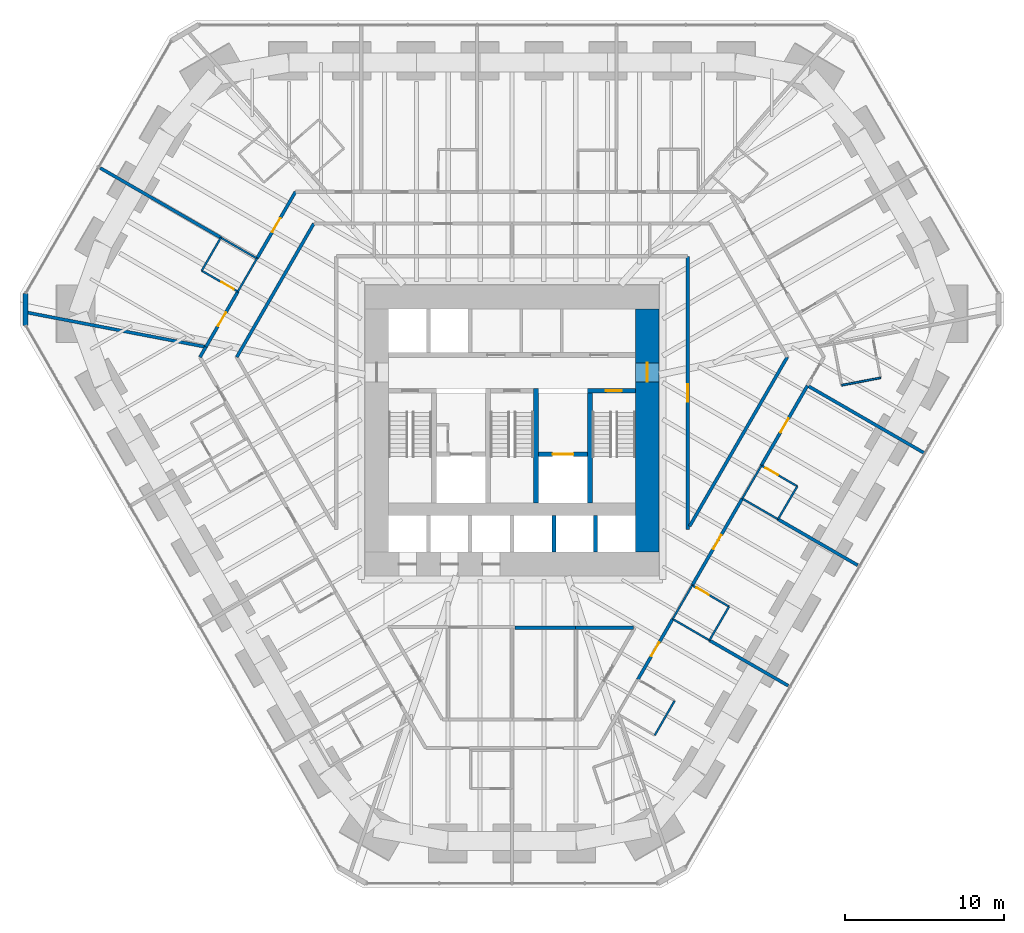
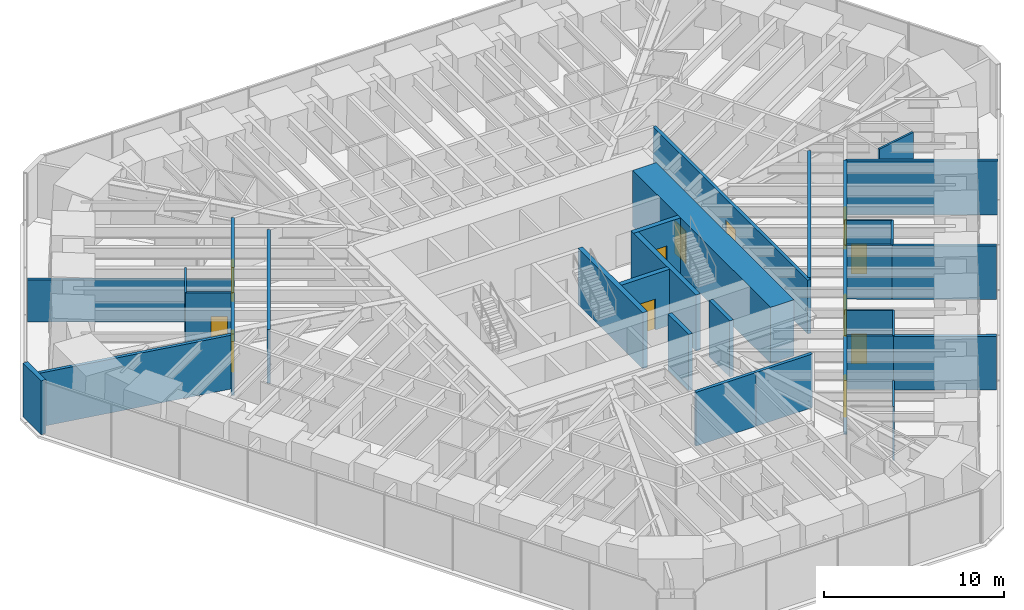
# One storey, part 13 of 17: 38 walls, 12 doors, 12 openings.
"""IFC4 building model written with IfcOpenShell, lengths in metres."""

from ifc_helpers import new_model, si_unit, direction, frame, frame_2d, origin, place, context, subcontext, project, spatial, rectangle, extrude, material, layer, layer_set, type_object, element, fill, save


model = new_model("IFC4")

# Units and contexts
model_context = context("Model", 3, precision=1e-05, world=origin(), true_north=direction((0.0, 1.0)))
body_context = subcontext(model_context, "Body", "Model", "MODEL_VIEW")
ifc_project = project(units=[si_unit("LENGTHUNIT", "METRE"), si_unit("AREAUNIT", "SQUARE_METRE"), si_unit("VOLUMEUNIT", "CUBIC_METRE"), si_unit("PLANEANGLEUNIT", "RADIAN"), si_unit("MASSUNIT", "GRAM", prefix="KILO")], contexts=[model_context])

# Site, building, storey
site_placement = place(None, origin())
site = spatial("IfcSite", under=ifc_project, at=site_placement, CompositionType="ELEMENT")
building_placement = place(site_placement, origin())
building = spatial("IfcBuilding", under=site, at=building_placement, Name="Sandreach Pilgrim Tower", CompositionType="ELEMENT")
storey_placement = place(building_placement, frame((0.0, 0.0, 83.800048828125)))
storey = spatial("IfcBuildingStorey", under=building, at=storey_placement, Name="L20", CompositionType="ELEMENT", Elevation=83.800048828125)

# Wall, opening, door
ifc_material_1 = material(Name="Moisture-resistant gypsum board on steel studs", Category="steel")
ifc_layer_1 = layer(ifc_material_1, 0.1201171875)
ifc_layer_set_1 = layer_set([ifc_layer_1], Name="Bathroom partition 120")
wall_type_1 = type_object("IfcWallType", Name="Bathroom partition 120", PredefinedType="PARTITIONING", material=ifc_layer_set_1)
wall_1_placement = place(storey_placement, frame((-19.5, 8.489990234375, 0.0), z_axis=(0.0, 0.0, 1.0), x_axis=(0.866114241029, -0.499846097802, 0.0)))
wall_1 = element("IfcWall", 1, at=wall_1_placement, inside=storey, type_object=wall_type_1, Name="Bathroom partition L20-009", PredefinedType="PARTITIONING", context=body_context, shape_type="SweptSolid", body=[
    extrude(rectangle(XDim=2.620849609375, YDim=0.1201171875, at=frame_2d((1.310546875, 0.0))), origin(), (0.0, 0.0, 1.0), 3.639892578125),
])
opening_1_placement = place(wall_1_placement, frame((1.4208984375, 0.0, 0.0)))
opening_1 = element("IfcOpeningElement", 2, at=opening_1_placement, cuts=wall_1, Name="Opening D09-17B", PredefinedType="OPENING", context=body_context, shape_type="SweptSolid", body=[
    extrude(rectangle(XDim=0.89990234375, YDim=2.030029296875, at=frame_2d((0.449951171875, 1.01513671875))), frame((0.0, 0.06005859375, 0.0), z_axis=(0.0, -1.0, 0.0), x_axis=(1.0, 0.0, 0.0)), (0.0, 0.0, 1.0), 0.1201171875),
])
ifc_material_2 = material(Name="Timber door, steel frame", Category="steel")
door_type_1 = type_object("IfcDoorType", Name="Bathroom door", OperationType="SINGLE_SWING_LEFT", PredefinedType="DOOR", material=ifc_material_2)
door_1_placement = place(opening_1_placement, origin())
door_1 = element("IfcDoor", 3, at=door_1_placement, inside=storey, type_object=door_type_1, Name="Door 2017B", OperationType="SINGLE_SWING_RIGHT", OverallHeight=2.030029296875, OverallWidth=0.89990234375, PredefinedType="DOOR", context=body_context, shape_type="SweptSolid", body=[
    extrude(rectangle(XDim=0.89990234375, YDim=2.030029296875, at=frame_2d((0.449951171875, 1.01513671875))), frame((0.0, 0.02490234375, 0.0), z_axis=(0.0, -1.0, 0.0), x_axis=(1.0, 0.0, 0.0)), (0.0, 0.0, 1.0), 0.050048828125),
])
fill(opening_1, door_1)

# Walls
wall_2_placement = place(storey_placement, frame((-18.300048828125, 10.570068359375, 0.0), z_axis=(0.0, 0.0, 1.0), x_axis=(-0.499693115345, -0.866202511239, 0.0)))
element("IfcWall", 4, at=wall_2_placement, inside=storey, type_object=wall_type_1, Name="Bathroom partition L20-013", PredefinedType="PARTITIONING", context=body_context, shape_type="SweptSolid", body=[
    extrude(rectangle(XDim=2.4013671875, YDim=0.1201171875, at=frame_2d((1.20068359375, 0.0))), origin(), (0.0, 0.0, 1.0), 3.639892578125),
])
wall_3_placement = place(storey_placement, frame((-18.300048828125, 10.570068359375, 0.0), z_axis=(0.0, 0.0, 1.0), x_axis=(0.866114241029, -0.499846097802, 0.0)))
element("IfcWall", 5, at=wall_3_placement, inside=storey, type_object=wall_type_1, Name="Bathroom partition L20-014", PredefinedType="PARTITIONING", context=body_context, shape_type="SweptSolid", body=[
    extrude(rectangle(XDim=2.620849609375, YDim=0.1201171875, at=frame_2d((1.310546875, 0.0))), origin(), (0.0, 0.0, 1.0), 2.860107421875),
])
wall_4_placement = place(storey_placement, frame((-17.22998046875, 7.179931640625, 0.0), z_axis=(0.0, 0.0, 1.0), x_axis=(0.500009943768, 0.866019662671, 0.0)))
element("IfcWall", 6, at=wall_4_placement, inside=storey, type_object=wall_type_1, Name="Bathroom partition L20-018", PredefinedType="PARTITIONING", context=body_context, shape_type="SweptSolid", body=[
    extrude(rectangle(XDim=2.4013671875, YDim=0.1201171875, at=frame_2d((1.20068359375, 0.0))), origin(), (0.0, 0.0, 1.0), 3.639892578125),
])
wall_5_placement = place(storey_placement, frame((8.969970703125, -20.7099609375, 0.0), z_axis=(0.0, 0.0, 1.0), x_axis=(0.499159685399, 0.866510016372, 0.0)))
element("IfcWall", 7, at=wall_5_placement, inside=storey, type_object=wall_type_1, Name="Bathroom partition L20-105", PredefinedType="PARTITIONING", context=body_context, shape_type="SweptSolid", body=[
    extrude(rectangle(XDim=2.504150390625, YDim=0.1201171875, at=frame_2d((1.251953125, 0.0))), origin(), (0.0, 0.0, 1.0), 3.639892578125),
])
wall_6_placement = place(storey_placement, frame((10.10009765625, -13.39990234375, 0.0), z_axis=(0.0, 0.0, 1.0), x_axis=(0.501856726365, 0.86495076519, 0.0)))
element("IfcWall", 8, at=wall_6_placement, inside=storey, type_object=wall_type_1, Name="Bathroom partition L20-108", PredefinedType="PARTITIONING", context=body_context, shape_type="SweptSolid", body=[
    extrude(rectangle(XDim=2.450927734375, YDim=0.1201171875, at=frame_2d((1.2255859375, 0.0))), origin(), (0.0, 0.0, 1.0), 3.639892578125),
])
wall_7_placement = place(storey_placement, frame((10.10009765625, -13.39990234375, 0.0), z_axis=(0.0, 0.0, 1.0), x_axis=(0.864966903181, -0.501828911485, 0.0)))
element("IfcWall", 9, at=wall_7_placement, inside=storey, type_object=wall_type_1, Name="Bathroom partition L20-109", PredefinedType="PARTITIONING", context=body_context, shape_type="SweptSolid", body=[
    extrude(rectangle(XDim=2.67041015625, YDim=0.1201171875, at=frame_2d((1.335205078125, 0.0))), origin(), (0.0, 0.0, 1.0), 3.639892578125),
])
wall_8_placement = place(storey_placement, frame((12.409912109375, -14.739990234375, 0.0), z_axis=(0.0, 0.0, 1.0), x_axis=(0.501813488763, 0.864975850817, 0.0)))
element("IfcWall", 10, at=wall_8_placement, inside=storey, type_object=wall_type_1, Name="Bathroom partition L20-118", PredefinedType="PARTITIONING", context=body_context, shape_type="SweptSolid", body=[
    extrude(rectangle(XDim=2.451171875, YDim=0.1201171875, at=frame_2d((1.2255859375, 0.0))), origin(), (0.0, 0.0, 1.0), 3.639892578125),
])

# Wall, opening, door
wall_9_placement = place(storey_placement, frame((13.639892578125, -12.6201171875, 0.0), z_axis=(0.0, 0.0, 1.0), x_axis=(-0.864966903181, 0.501828911485, 0.0)))
wall_9 = element("IfcWall", 11, at=wall_9_placement, inside=storey, type_object=wall_type_1, Name="Bathroom partition L20-123", PredefinedType="PARTITIONING", context=body_context, shape_type="SweptSolid", body=[
    extrude(rectangle(XDim=2.67041015625, YDim=0.1201171875, at=frame_2d((1.335205078125, 0.0))), origin(), (0.0, 0.0, 1.0), 3.639892578125),
])
opening_2_placement = place(wall_9_placement, frame((1.470458984375, 0.0, 0.0)))
opening_2 = element("IfcOpeningElement", 12, at=opening_2_placement, cuts=wall_9, Name="Opening D09-09B", PredefinedType="OPENING", context=body_context, shape_type="SweptSolid", body=[
    extrude(rectangle(XDim=0.89990234375, YDim=2.030029296875, at=frame_2d((0.449951171875, 1.01513671875))), frame((0.0, 0.06005859375, 0.0), z_axis=(0.0, -1.0, 0.0), x_axis=(1.0, 0.0, 0.0)), (0.0, 0.0, 1.0), 0.1201171875),
])
door_2_placement = place(opening_2_placement, origin())
door_2 = element("IfcDoor", 13, at=door_2_placement, inside=storey, type_object=door_type_1, Name="Door 2009B", OperationType="SINGLE_SWING_RIGHT", OverallHeight=2.030029296875, OverallWidth=0.89990234375, PredefinedType="DOOR", context=body_context, shape_type="SweptSolid", body=[
    extrude(rectangle(XDim=0.89990234375, YDim=2.030029296875, at=frame_2d((0.449951171875, 1.01513671875))), frame((0.0, 0.02490234375, 0.0), z_axis=(0.0, -1.0, 0.0), x_axis=(1.0, 0.0, 0.0)), (0.0, 0.0, 1.0), 0.050048828125),
])
fill(opening_2, door_2)

# Walls
wall_10_placement = place(storey_placement, frame((14.469970703125, -5.830078125, 0.0), z_axis=(0.0, 0.0, 1.0), x_axis=(0.865856933682, -0.500291685314, 0.0)))
element("IfcWall", 14, at=wall_10_placement, inside=storey, type_object=wall_type_1, Name="Bathroom partition L20-126", PredefinedType="PARTITIONING", context=body_context, shape_type="SweptSolid", body=[
    extrude(rectangle(XDim=2.5986328125, YDim=0.1201171875, at=frame_2d((1.29931640625, 0.0))), origin(), (0.0, 0.0, 1.0), 3.639892578125),
])
wall_11_placement = place(storey_placement, frame((15.679931640625, -3.75, 0.0), z_axis=(0.0, 0.0, 1.0), x_axis=(-0.502810888564, -0.864396442809, 0.0)))
element("IfcWall", 15, at=wall_11_placement, inside=storey, type_object=wall_type_1, Name="Bathroom partition L20-129", PredefinedType="PARTITIONING", context=body_context, shape_type="SweptSolid", body=[
    extrude(rectangle(XDim=2.406494140625, YDim=0.1201171875, at=frame_2d((1.203125, 0.0))), origin(), (0.0, 0.0, 1.0), 3.639892578125),
])
wall_12_placement = place(storey_placement, frame((16.719970703125, -7.1298828125, 0.0), z_axis=(0.0, 0.0, 1.0), x_axis=(0.504668565454, 0.863313175529, 0.0)))
element("IfcWall", 16, at=wall_12_placement, inside=storey, type_object=wall_type_1, Name="Bathroom partition L20-132", PredefinedType="PARTITIONING", context=body_context, shape_type="SweptSolid", body=[
    extrude(rectangle(XDim=2.3974609375, YDim=0.1201171875, at=frame_2d((1.19873046875, 0.0))), origin(), (0.0, 0.0, 1.0), 3.639892578125),
])

# Wall, opening, door
wall_13_placement = place(storey_placement, frame((17.929931640625, -5.06005859375, 0.0), z_axis=(0.0, 0.0, 1.0), x_axis=(-0.864186736834, 0.503171227198, 0.0)))
wall_13 = element("IfcWall", 17, at=wall_13_placement, inside=storey, type_object=wall_type_1, Name="Bathroom partition L20-136", PredefinedType="PARTITIONING", context=body_context, shape_type="SweptSolid", body=[
    extrude(rectangle(XDim=2.603515625, YDim=0.1201171875, at=frame_2d((1.3017578125, 0.0))), origin(), (0.0, 0.0, 1.0), 3.639892578125),
])
opening_3_placement = place(wall_13_placement, frame((1.403564453125, 0.0, 0.0)))
opening_3 = element("IfcOpeningElement", 18, at=opening_3_placement, cuts=wall_13, Name="Opening D09-08B", PredefinedType="OPENING", context=body_context, shape_type="SweptSolid", body=[
    extrude(rectangle(XDim=0.89990234375, YDim=2.030029296875, at=frame_2d((0.449951171875, 1.01513671875))), frame((0.0, 0.06005859375, 0.0), z_axis=(0.0, -1.0, 0.0), x_axis=(1.0, 0.0, 0.0)), (0.0, 0.0, 1.0), 0.1201171875),
])
door_3_placement = place(opening_3_placement, origin())
door_3 = element("IfcDoor", 19, at=door_3_placement, inside=storey, type_object=door_type_1, Name="Door 2008B", OperationType="SINGLE_SWING_RIGHT", OverallHeight=2.030029296875, OverallWidth=0.89990234375, PredefinedType="DOOR", context=body_context, shape_type="SweptSolid", body=[
    extrude(rectangle(XDim=0.89990234375, YDim=2.030029296875, at=frame_2d((0.449951171875, 1.01513671875))), frame((0.0, 0.02490234375, 0.0), z_axis=(0.0, -1.0, 0.0), x_axis=(1.0, 0.0, 0.0)), (0.0, 0.0, 1.0), 0.050048828125),
])
fill(opening_3, door_3)

# Walls
wall_14_placement = place(storey_placement, frame((20.719970703125, 1.2900390625, 0.0), z_axis=(0.0, 0.0, 1.0), x_axis=(0.9820935986, 0.188393639991, 0.0)))
element("IfcWall", 20, at=wall_14_placement, inside=storey, type_object=wall_type_1, Name="Bathroom partition L20-145", PredefinedType="PARTITIONING", context=body_context, shape_type="SweptSolid", body=[
    extrude(rectangle(XDim=2.49462890625, YDim=0.1201171875, at=frame_2d((1.247314453125, 0.0))), origin(), (0.0, 0.0, 1.0), 3.639892578125),
])
ifc_material_3 = material(Name="Concrete 10000 psi", Category="concrete")
ifc_layer_2 = layer(ifc_material_3, 0.300048828125)
ifc_layer_set_2 = layer_set([ifc_layer_2], Name="Core inner wall 300")
wall_type_2 = type_object("IfcWallType", Name="Core inner wall 300", PredefinedType="SHEAR", material=ifc_layer_set_2)
for number, where, z_axis, x_axis, name in (
    (21, (1.5, -6.10009765625, 0.0), (0.0, 0.0, 1.0), (0.0, 1.0, 0.0), "Core wall I2 L20"),
    (22, (4.89990234375, -6.10009765625, 0.0), (0.0, 0.0, 1.0), (0.0, 1.0, 0.0), "Core wall I3 L20"),
):
    element("IfcWall", number, at=place(storey_placement, frame(where, z_axis=z_axis, x_axis=x_axis)), inside=storey, type_object=wall_type_2, Name=name, PredefinedType="SHEAR", context=body_context, shape_type="SweptSolid", body=[
        extrude(rectangle(XDim=7.2001953125, YDim=0.300048828125, at=frame_2d((3.60009765625, 0.0))), origin(), (0.0, 0.0, 1.0), 3.800048828125),
    ])

# Wall, opening, door
wall_15_placement = place(storey_placement, frame((4.75, 0.949951171875, 0.0), z_axis=(0.0, 0.0, 1.0), x_axis=(1.0, 0.0, 0.0)))
wall_15 = element("IfcWall", 23, at=wall_15_placement, inside=storey, type_object=wall_type_2, Name="Core wall SN2 L20", PredefinedType="SHEAR", context=body_context, shape_type="SweptSolid", body=[
    extrude(rectangle(XDim=3.0, YDim=0.300048828125, at=frame_2d((1.5, 0.0))), origin(), (0.0, 0.0, 1.0), 3.800048828125),
])
opening_4_placement = place(wall_15_placement, frame((1.14990234375, 0.0, 0.0)))
opening_4 = element("IfcOpeningElement", 24, at=opening_4_placement, cuts=wall_15, Name="Opening D10S-ST2", PredefinedType="OPENING", context=body_context, shape_type="SweptSolid", body=[
    extrude(rectangle(XDim=1.0, YDim=2.199951171875, at=frame_2d((0.5, 1.10009765625))), frame((0.0, 0.14990234375, 0.0), z_axis=(0.0, -1.0, 0.0), x_axis=(1.0, 0.0, 0.0)), (0.0, 0.0, 1.0), 0.300048828125),
])
ifc_material_4 = material(Name="Steel door and frame", Category="steel")
door_type_2 = type_object("IfcDoorType", Name="Stair door", OperationType="SINGLE_SWING_LEFT", PredefinedType="DOOR", material=ifc_material_4)
door_4_placement = place(opening_4_placement, origin())
door_4 = element("IfcDoor", 25, at=door_4_placement, inside=storey, type_object=door_type_2, Name="Stair door ST2 L20", OperationType="SINGLE_SWING_RIGHT", OverallHeight=2.199951171875, OverallWidth=1.0, PredefinedType="DOOR", context=body_context, shape_type="SweptSolid", body=[
    extrude(rectangle(XDim=1.0, YDim=2.199951171875, at=frame_2d((0.5, 1.10009765625))), frame((0.0, 0.02490234375, 0.0), z_axis=(0.0, -1.0, 0.0), x_axis=(1.0, 0.0, 0.0)), (0.0, 0.0, 1.0), 0.050048828125),
])
fill(opening_4, door_4)

wall_16_placement = place(storey_placement, frame((1.64990234375, -3.050048828125, 0.0), z_axis=(0.0, 0.0, 1.0), x_axis=(1.0, 0.0, 0.0)))
wall_16 = element("IfcWall", 26, at=wall_16_placement, inside=storey, type_object=wall_type_2, Name="Core wall FL2 L20", PredefinedType="SHEAR", context=body_context, shape_type="SweptSolid", body=[
    extrude(rectangle(XDim=3.10009765625, YDim=0.300048828125, at=frame_2d((1.550048828125, 0.0))), origin(), (0.0, 0.0, 1.0), 3.800048828125),
])
opening_5_placement = place(wall_16_placement, frame((0.89990234375, 0.0, 0.0)))
opening_5 = element("IfcOpeningElement", 27, at=opening_5_placement, cuts=wall_16, Name="Opening LD13", PredefinedType="OPENING", context=body_context, shape_type="SweptSolid", body=[
    extrude(rectangle(XDim=1.300048828125, YDim=2.10009765625, at=frame_2d((0.64990234375, 1.050048828125))), frame((0.0, 0.14990234375, 0.0), z_axis=(0.0, -1.0, 0.0), x_axis=(1.0, 0.0, 0.0)), (0.0, 0.0, 1.0), 0.300048828125),
])
ifc_material_5 = material(Name="Steel door and frame", Category="steel")
door_type_3 = type_object("IfcDoorType", Name="Fire service lift landing door", OperationType="DOUBLE_DOOR_SLIDING", PredefinedType="DOOR", material=ifc_material_5)
door_5_placement = place(opening_5_placement, origin())
door_5 = element("IfcDoor", 28, at=door_5_placement, inside=storey, type_object=door_type_3, Name="Lift landing door FS2 L20", OperationType="DOUBLE_DOOR_SLIDING", OverallHeight=2.10009765625, OverallWidth=1.300048828125, PredefinedType="DOOR", context=body_context, shape_type="SweptSolid", body=[
    extrude(rectangle(XDim=1.300048828125, YDim=2.10009765625, at=frame_2d((0.64990234375, 1.050048828125))), frame((0.0, 0.02490234375, 0.0), z_axis=(0.0, -1.0, 0.0), x_axis=(1.0, 0.0, 0.0)), (0.0, 0.0, 1.0), 0.050048828125),
])
fill(opening_5, door_5)

ifc_material_6 = material(Name="Concrete 10000 psi", Category="concrete")
ifc_layer_3 = layer(ifc_material_6, 1.5)
ifc_layer_set_3 = layer_set([ifc_layer_3], Name="Core wall 1500")
wall_type_3 = type_object("IfcWallType", Name="Core wall 1500", PredefinedType="SHEAR", material=ifc_layer_set_3)
wall_17_placement = place(storey_placement, frame((8.5, -9.199951171875, 0.0), z_axis=(0.0, 0.0, 1.0), x_axis=(0.0, 1.0, 0.0)))
wall_17 = element("IfcWall", 29, at=wall_17_placement, inside=storey, type_object=wall_type_3, Name="Core wall E L20", PredefinedType="SHEAR", context=body_context, shape_type="SweptSolid", body=[
    extrude(rectangle(XDim=15.300048828125, YDim=1.5, at=frame_2d((7.64990234375, 0.0))), origin(), (0.0, 0.0, 1.0), 3.800048828125),
])
opening_6_placement = place(wall_17_placement, frame((10.699951171875, 0.0, 0.0)))
opening_6 = element("IfcOpeningElement", 30, at=opening_6_placement, cuts=wall_17, Name="Opening D12F-E", PredefinedType="OPENING", context=body_context, shape_type="SweptSolid", body=[
    extrude(rectangle(XDim=1.199951171875, YDim=2.199951171875, at=frame_2d((0.60009765625, 1.10009765625))), frame((0.0, 0.75, 0.0), z_axis=(0.0, -1.0, 0.0), x_axis=(1.0, 0.0, 0.0)), (0.0, 0.0, 1.0), 1.5),
])
ifc_material_7 = material(Name="Steel door and frame", Category="steel")
door_type_4 = type_object("IfcDoorType", Name="Fire lobby door", OperationType="SINGLE_SWING_LEFT", PredefinedType="DOOR", material=ifc_material_7)
door_6_placement = place(opening_6_placement, origin())
door_6 = element("IfcDoor", 31, at=door_6_placement, inside=storey, type_object=door_type_4, Name="Fire service lobby door E L20", OperationType="SINGLE_SWING_RIGHT", OverallHeight=2.199951171875, OverallWidth=1.199951171875, PredefinedType="DOOR", context=body_context, shape_type="SweptSolid", body=[
    extrude(rectangle(XDim=1.199951171875, YDim=2.199951171875, at=frame_2d((0.60009765625, 1.10009765625))), frame((0.0, 0.02490234375, 0.0), z_axis=(0.0, -1.0, 0.0), x_axis=(1.0, 0.0, 0.0)), (0.0, 0.0, 1.0), 0.050048828125),
])
fill(opening_6, door_6)

# Wall
ifc_material_8 = material(Name="Gypsum board on steel studs, two layers each side", Category="steel")
ifc_layer_4 = layer(ifc_material_8, 0.199951171875)
ifc_layer_set_4 = layer_set([ifc_layer_4], Name="Corridor wall 200")
wall_type_4 = type_object("IfcWallType", Name="Corridor wall 200", PredefinedType="PARTITIONING", material=ifc_layer_set_4)
wall_18_placement = place(storey_placement, frame((-19.610107421875, 3.06005859375, 0.0), z_axis=(0.0, 0.0, 1.0), x_axis=(0.50068472101, 0.865629718844, 0.0)))
element("IfcWall", 32, at=wall_18_placement, inside=storey, type_object=wall_type_4, Name="Corridor wall L20-006", PredefinedType="PARTITIONING", context=body_context, shape_type="SweptSolid", body=[
    extrude(rectangle(XDim=0.7392578125, YDim=0.199951171875, at=frame_2d((0.36962890625, 0.0))), origin(), (0.0, 0.0, 1.0), 3.639892578125),
])

# Wall, opening, door
wall_19_placement = place(storey_placement, frame((-19.239990234375, 3.699951171875, 0.0), z_axis=(0.0, 0.0, 1.0), x_axis=(0.500157149565, 0.865934654428, 0.0)))
wall_19 = element("IfcWall", 33, at=wall_19_placement, inside=storey, type_object=wall_type_4, Name="Corridor wall L20-010", PredefinedType="PARTITIONING", context=body_context, shape_type="SweptSolid", body=[
    extrude(rectangle(XDim=4.018798828125, YDim=0.199951171875, at=frame_2d((2.00927734375, 0.0))), origin(), (0.0, 0.0, 1.0), 3.639892578125),
])
opening_7_placement = place(wall_19_placement, frame((1.509521484375, 0.0, 0.0)))
opening_7 = element("IfcOpeningElement", 34, at=opening_7_placement, cuts=wall_19, Name="Opening D10-17", PredefinedType="OPENING", context=body_context, shape_type="SweptSolid", body=[
    extrude(rectangle(XDim=1.0, YDim=2.1298828125, at=frame_2d((0.5, 1.06494140625))), frame((0.0, 0.10009765625, 0.0), z_axis=(0.0, -1.0, 0.0), x_axis=(1.0, 0.0, 0.0)), (0.0, 0.0, 1.0), 0.199951171875),
])
ifc_material_9 = material(Name="Steel door and frame", Category="steel")
door_type_5 = type_object("IfcDoorType", Name="Guest room entry door", OperationType="SINGLE_SWING_LEFT", PredefinedType="DOOR", material=ifc_material_9)
door_7_placement = place(opening_7_placement, origin())
door_7 = element("IfcDoor", 35, at=door_7_placement, inside=storey, type_object=door_type_5, Name="Door 2017", OperationType="SINGLE_SWING_LEFT", OverallHeight=2.1298828125, OverallWidth=1.0, PredefinedType="DOOR", context=body_context, shape_type="SweptSolid", body=[
    extrude(rectangle(XDim=1.0, YDim=2.1298828125, at=frame_2d((0.5, 1.06494140625))), frame((0.0, 0.02490234375, 0.0), z_axis=(0.0, -1.0, 0.0), x_axis=(1.0, 0.0, 0.0)), (0.0, 0.0, 1.0), 0.050048828125),
])
fill(opening_7, door_7)

# Wall
wall_20_placement = place(storey_placement, frame((-17.300048828125, 3.06005859375, 0.0), z_axis=(0.0, 0.0, 1.0), x_axis=(0.499704269421, 0.866196076603, 0.0)))
element("IfcWall", 36, at=wall_20_placement, inside=storey, type_object=wall_type_4, Name="Corridor wall L20-017", PredefinedType="PARTITIONING", context=body_context, shape_type="SweptSolid", body=[
    extrude(rectangle(XDim=9.685791015625, YDim=0.199951171875, at=frame_2d((4.8427734375, 0.0))), origin(), (0.0, 0.0, 1.0), 3.639892578125),
])

# Wall, opening, door
wall_21_placement = place(storey_placement, frame((-16.029296875, 9.259521484375, 0.0), z_axis=(0.0, 0.0, 1.0), x_axis=(0.499975779801, 0.866039386871, 0.0)))
wall_21 = element("IfcWall", 37, at=wall_21_placement, inside=storey, type_object=wall_type_4, Name="Corridor wall L20-023", PredefinedType="PARTITIONING", context=body_context, shape_type="SweptSolid", body=[
    extrude(rectangle(XDim=4.838623046875, YDim=0.199951171875, at=frame_2d((2.41943359375, 0.0))), origin(), (0.0, 0.0, 1.0), 3.639892578125),
])
opening_8_placement = place(wall_21_placement, frame((1.919189453125, 0.0, 0.0)))
opening_8 = element("IfcOpeningElement", 38, at=opening_8_placement, cuts=wall_21, Name="Opening D10-18", PredefinedType="OPENING", context=body_context, shape_type="SweptSolid", body=[
    extrude(rectangle(XDim=1.0, YDim=2.1298828125, at=frame_2d((0.5, 1.06494140625))), frame((0.0, 0.10009765625, 0.0), z_axis=(0.0, -1.0, 0.0), x_axis=(1.0, 0.0, 0.0)), (0.0, 0.0, 1.0), 0.199951171875),
])
door_8_placement = place(opening_8_placement, origin())
door_8 = element("IfcDoor", 39, at=door_8_placement, inside=storey, type_object=door_type_5, Name="Door 2018", OperationType="SINGLE_SWING_LEFT", OverallHeight=2.1298828125, OverallWidth=1.0, PredefinedType="DOOR", context=body_context, shape_type="SweptSolid", body=[
    extrude(rectangle(XDim=1.0, YDim=2.1298828125, at=frame_2d((0.5, 1.06494140625))), frame((0.0, 0.02490234375, 0.0), z_axis=(0.0, -1.0, 0.0), x_axis=(1.0, 0.0, 0.0)), (0.0, 0.0, 1.0), 0.050048828125),
])
fill(opening_8, door_8)

# Walls
wall_22_placement = place(storey_placement, frame((0.179931640625, -13.949951171875, 0.0), z_axis=(0.0, 0.0, 1.0), x_axis=(1.0, 0.0, 0.0)))
element("IfcWall", 40, at=wall_22_placement, inside=storey, type_object=wall_type_4, Name="Corridor wall L20-079", PredefinedType="PARTITIONING", context=body_context, shape_type="SweptSolid", body=[
    extrude(rectangle(XDim=3.820068359375, YDim=0.199951171875, at=frame_2d((1.91015625, 0.0))), origin(), (0.0, 0.0, 1.0), 3.639892578125),
])
wall_23_placement = place(storey_placement, frame((4.0, -13.949951171875, 0.0), z_axis=(0.0, 0.0, 1.0), x_axis=(1.0, 0.0, 0.0)))
element("IfcWall", 41, at=wall_23_placement, inside=storey, type_object=wall_type_4, Name="Corridor wall L20-083", PredefinedType="PARTITIONING", context=body_context, shape_type="SweptSolid", body=[
    extrude(rectangle(XDim=3.635009765625, YDim=0.199951171875, at=frame_2d((1.8173828125, 0.0))), origin(), (0.0, 0.0, 1.0), 3.639892578125),
])

# Wall, opening, door
wall_24_placement = place(storey_placement, frame((7.9091796875, -17.199462890625, 0.0), z_axis=(0.0, 0.0, 1.0), x_axis=(0.499528080516, 0.866297695239, 0.0)))
wall_24 = element("IfcWall", 42, at=wall_24_placement, inside=storey, type_object=wall_type_4, Name="Corridor wall L20-100", PredefinedType="PARTITIONING", context=body_context, shape_type="SweptSolid", body=[
    extrude(rectangle(XDim=4.385986328125, YDim=0.199951171875, at=frame_2d((2.19287109375, 0.0))), origin(), (0.0, 0.0, 1.0), 3.639892578125),
])
opening_9_placement = place(wall_24_placement, frame((1.69287109375, 0.0, 0.0)))
opening_9 = element("IfcOpeningElement", 43, at=opening_9_placement, cuts=wall_24, Name="Opening D10-10", PredefinedType="OPENING", context=body_context, shape_type="SweptSolid", body=[
    extrude(rectangle(XDim=1.0, YDim=2.1298828125, at=frame_2d((0.5, 1.06494140625))), frame((0.0, 0.10009765625, 0.0), z_axis=(0.0, -1.0, 0.0), x_axis=(1.0, 0.0, 0.0)), (0.0, 0.0, 1.0), 0.199951171875),
])
door_9_placement = place(opening_9_placement, origin())
door_9 = element("IfcDoor", 44, at=door_9_placement, inside=storey, type_object=door_type_5, Name="Door 2010", OperationType="SINGLE_SWING_LEFT", OverallHeight=2.1298828125, OverallWidth=1.0, PredefinedType="DOOR", context=body_context, shape_type="SweptSolid", body=[
    extrude(rectangle(XDim=1.0, YDim=2.1298828125, at=frame_2d((0.5, 1.06494140625))), frame((0.0, 0.02490234375, 0.0), z_axis=(0.0, -1.0, 0.0), x_axis=(1.0, 0.0, 0.0)), (0.0, 0.0, 1.0), 0.050048828125),
])
fill(opening_9, door_9)

wall_25_placement = place(storey_placement, frame((11.050048828125, -7.760009765625, 0.0), z_axis=(0.0, 0.0, 1.0), x_axis=(0.0, 1.0, 0.0)))
wall_25 = element("IfcWall", 45, at=wall_25_placement, inside=storey, type_object=wall_type_4, Name="Corridor wall L20-112", PredefinedType="PARTITIONING", context=body_context, shape_type="SweptSolid", body=[
    extrude(rectangle(XDim=17.159912109375, YDim=0.199951171875, at=frame_2d((8.580078125, 0.0))), origin(), (0.0, 0.0, 1.0), 3.639892578125),
])
opening_10_placement = place(wall_25_placement, frame((8.030029296875, 0.0, 0.0)))
opening_10 = element("IfcOpeningElement", 46, at=opening_10_placement, cuts=wall_25, Name="Opening D11H-M04", PredefinedType="OPENING", context=body_context, shape_type="SweptSolid", body=[
    extrude(rectangle(XDim=1.10009765625, YDim=2.199951171875, at=frame_2d((0.550048828125, 1.10009765625))), frame((0.0, 0.10009765625, 0.0), z_axis=(0.0, -1.0, 0.0), x_axis=(1.0, 0.0, 0.0)), (0.0, 0.0, 1.0), 0.199951171875),
])
ifc_material_10 = material(Name="Steel door and frame", Category="steel")
door_type_6 = type_object("IfcDoorType", Name="Back of house door", OperationType="SINGLE_SWING_LEFT", PredefinedType="DOOR", material=ifc_material_10)
door_10_placement = place(opening_10_placement, origin())
door_10 = element("IfcDoor", 47, at=door_10_placement, inside=storey, type_object=door_type_6, Name="Door 20M04", OperationType="SINGLE_SWING_LEFT", OverallHeight=2.199951171875, OverallWidth=1.10009765625, PredefinedType="DOOR", context=body_context, shape_type="SweptSolid", body=[
    extrude(rectangle(XDim=1.10009765625, YDim=2.199951171875, at=frame_2d((0.550048828125, 1.10009765625))), frame((0.0, 0.02490234375, 0.0), z_axis=(0.0, -1.0, 0.0), x_axis=(1.0, 0.0, 0.0)), (0.0, 0.0, 1.0), 0.050048828125),
])
fill(opening_10, door_10)

wall_26_placement = place(storey_placement, frame((11.32861328125, -11.279296875, 0.0), z_axis=(0.0, 0.0, 1.0), x_axis=(0.499433445148, 0.86635225738, 0.0)))
wall_26 = element("IfcWall", 48, at=wall_26_placement, inside=storey, type_object=wall_type_4, Name="Corridor wall L20-113", PredefinedType="PARTITIONING", context=body_context, shape_type="SweptSolid", body=[
    extrude(rectangle(XDim=6.289794921875, YDim=0.199951171875, at=frame_2d((3.14501953125, 0.0))), origin(), (0.0, 0.0, 1.0), 3.639892578125),
])
opening_11_placement = place(wall_26_placement, frame((2.64501953125, 0.0, 0.0)))
opening_11 = element("IfcOpeningElement", 49, at=opening_11_placement, cuts=wall_26, Name="Opening D10-09", PredefinedType="OPENING", context=body_context, shape_type="SweptSolid", body=[
    extrude(rectangle(XDim=1.0, YDim=2.1298828125, at=frame_2d((0.5, 1.06494140625))), frame((0.0, 0.10009765625, 0.0), z_axis=(0.0, -1.0, 0.0), x_axis=(1.0, 0.0, 0.0)), (0.0, 0.0, 1.0), 0.199951171875),
])
door_11_placement = place(opening_11_placement, origin())
door_11 = element("IfcDoor", 50, at=door_11_placement, inside=storey, type_object=door_type_5, Name="Door 2009", OperationType="SINGLE_SWING_LEFT", OverallHeight=2.1298828125, OverallWidth=1.0, PredefinedType="DOOR", context=body_context, shape_type="SweptSolid", body=[
    extrude(rectangle(XDim=1.0, YDim=2.1298828125, at=frame_2d((0.5, 1.06494140625))), frame((0.0, 0.02490234375, 0.0), z_axis=(0.0, -1.0, 0.0), x_axis=(1.0, 0.0, 0.0)), (0.0, 0.0, 1.0), 0.050048828125),
])
fill(opening_11, door_11)

wall_27_placement = place(storey_placement, frame((15.669921875, -3.75, 0.0), z_axis=(0.0, 0.0, 1.0), x_axis=(0.500237606619, 0.865888178071, 0.0)))
wall_27 = element("IfcWall", 51, at=wall_27_placement, inside=storey, type_object=wall_type_4, Name="Corridor wall L20-128", PredefinedType="PARTITIONING", context=body_context, shape_type="SweptSolid", body=[
    extrude(rectangle(XDim=5.797607421875, YDim=0.199951171875, at=frame_2d((2.89892578125, 0.0))), origin(), (0.0, 0.0, 1.0), 3.639892578125),
])
opening_12_placement = place(wall_27_placement, frame((2.398681640625, 0.0, 0.0)))
opening_12 = element("IfcOpeningElement", 52, at=opening_12_placement, cuts=wall_27, Name="Opening D10-08", PredefinedType="OPENING", context=body_context, shape_type="SweptSolid", body=[
    extrude(rectangle(XDim=1.0, YDim=2.1298828125, at=frame_2d((0.5, 1.06494140625))), frame((0.0, 0.10009765625, 0.0), z_axis=(0.0, -1.0, 0.0), x_axis=(1.0, 0.0, 0.0)), (0.0, 0.0, 1.0), 0.199951171875),
])
door_12_placement = place(opening_12_placement, origin())
door_12 = element("IfcDoor", 53, at=door_12_placement, inside=storey, type_object=door_type_5, Name="Door 2008", OperationType="SINGLE_SWING_LEFT", OverallHeight=2.1298828125, OverallWidth=1.0, PredefinedType="DOOR", context=body_context, shape_type="SweptSolid", body=[
    extrude(rectangle(XDim=1.0, YDim=2.1298828125, at=frame_2d((0.5, 1.06494140625))), frame((0.0, 0.02490234375, 0.0), z_axis=(0.0, -1.0, 0.0), x_axis=(1.0, 0.0, 0.0)), (0.0, 0.0, 1.0), 0.050048828125),
])
fill(opening_12, door_12)

# Walls
wall_28_placement = place(storey_placement, frame((17.300048828125, 3.06005859375, 0.0), z_axis=(0.0, 0.0, 1.0), x_axis=(-0.500175206663, -0.865924224537, 0.0)))
element("IfcWall", 54, at=wall_28_placement, inside=storey, type_object=wall_type_4, Name="Corridor wall L20-134", PredefinedType="PARTITIONING", context=body_context, shape_type="SweptSolid", body=[
    extrude(rectangle(XDim=12.275390625, YDim=0.199951171875, at=frame_2d((6.1376953125, 0.0))), origin(), (0.0, 0.0, 1.0), 3.639892578125),
])
ifc_material_11 = material(Name="Double steel stud acoustic wall, gypsum board", Category="steel")
ifc_layer_5 = layer(ifc_material_11, 0.199951171875)
ifc_layer_set_5 = layer_set([ifc_layer_5], Name="Party wall 200")
wall_type_5 = type_object("IfcWallType", Name="Party wall 200", PredefinedType="PARTITIONING", material=ifc_layer_set_5)
wall_29_placement = place(storey_placement, frame((-30.590576171875, 5.88427734375, 0.0), z_axis=(0.0, 0.0, 1.0), x_axis=(0.981983289605, -0.188967772219, 0.0)))
element("IfcWall", 55, at=wall_29_placement, inside=storey, type_object=wall_type_5, Name="Party wall L20-001", PredefinedType="PARTITIONING", context=body_context, shape_type="SweptSolid", body=[
    extrude(rectangle(XDim=11.5087890625, YDim=0.199951171875, at=frame_2d((5.75439453125, 0.0))), origin(), (0.0, 0.0, 1.0), 3.639892578125),
])
wall_30_placement = place(storey_placement, frame((-25.885986328125, 14.949951171875, 0.0), z_axis=(0.0, 0.0, 1.0), x_axis=(0.866018495177, -0.500011965869, 0.0)))
element("IfcWall", 56, at=wall_30_placement, inside=storey, type_object=wall_type_5, Name="Party wall L20-002", PredefinedType="PARTITIONING", context=body_context, shape_type="SweptSolid", body=[
    extrude(rectangle(XDim=8.759521484375, YDim=0.199951171875, at=frame_2d((4.3798828125, 0.0))), origin(), (0.0, 0.0, 1.0), 2.860107421875),
])
wall_31_placement = place(storey_placement, frame((16.719970703125, -7.1298828125, 0.0), z_axis=(0.0, 0.0, 1.0), x_axis=(0.866035778077, -0.499982030767, 0.0)))
element("IfcWall", 57, at=wall_31_placement, inside=storey, type_object=wall_type_5, Name="Party wall L20-133", PredefinedType="PARTITIONING", context=body_context, shape_type="SweptSolid", body=[
    extrude(rectangle(XDim=5.780517578125, YDim=0.199951171875, at=frame_2d((2.89013671875, 0.0))), origin(), (0.0, 0.0, 1.0), 3.639892578125),
])
wall_32_placement = place(storey_placement, frame((17.35595703125, -17.590087890625, 0.0), z_axis=(0.0, 0.0, 1.0), x_axis=(-0.866442508333, 0.499276856818, 0.0)))
element("IfcWall", 58, at=wall_32_placement, inside=storey, type_object=wall_type_5, Name="Party wall L20-135", PredefinedType="PARTITIONING", context=body_context, shape_type="SweptSolid", body=[
    extrude(rectangle(XDim=5.70849609375, YDim=0.199951171875, at=frame_2d((2.854248046875, 0.0))), origin(), (0.0, 0.0, 1.0), 3.639892578125),
])
wall_33_placement = place(storey_placement, frame((25.904052734375, -2.965087890625, 0.0), z_axis=(0.0, 0.0, 1.0), x_axis=(-0.865987918257, 0.500064921217, 0.0)))
element("IfcWall", 59, at=wall_33_placement, inside=storey, type_object=wall_type_5, Name="Party wall L20-150", PredefinedType="PARTITIONING", context=body_context, shape_type="SweptSolid", body=[
    extrude(rectangle(XDim=8.4541015625, YDim=0.199951171875, at=frame_2d((4.22705078125, 0.0))), origin(), (0.0, 0.0, 1.0), 3.639892578125),
])
ifc_material_12 = material(Name="Gypsum shaft wall on steel studs, two layers of shaft liner board", Category="steel")
ifc_layer_6 = layer(ifc_material_12, 0.25)
ifc_layer_set_6 = layer_set([ifc_layer_6], Name="Shaft partition 250")
wall_type_6 = type_object("IfcWallType", Name="Shaft partition 250", PredefinedType="PARTITIONING", material=ifc_layer_set_6)
for number, where, z_axis, x_axis, name in (
    (60, (2.625, -9.199951171875, 0.0), (0.0, 0.0, 1.0), (0.0, 1.0, 0.0), "Shaft partition XS3 L20"),
    (61, (5.25, -9.199951171875, 0.0), (0.0, 0.0, 1.0), (0.0, 1.0, 0.0), "Shaft partition XS4 L20"),
):
    element("IfcWall", number, at=place(storey_placement, frame(where, z_axis=z_axis, x_axis=x_axis)), inside=storey, type_object=wall_type_6, Name=name, PredefinedType="PARTITIONING", context=body_context, shape_type="SweptSolid", body=[
        extrude(rectangle(XDim=2.300048828125, YDim=0.25, at=frame_2d((1.14990234375, 0.0))), origin(), (0.0, 0.0, 1.0), 3.800048828125),
    ])
ifc_material_13 = material(Name="Terracotta rainscreen on concrete", Category="masonry")
ifc_layer_7 = layer(ifc_material_13, 0.300048828125)
ifc_layer_set_7 = layer_set([ifc_layer_7], Name="Terracotta chamfer pier")
wall_type_7 = type_object("IfcWallType", Name="Terracotta chamfer pier", PredefinedType="SOLIDWALL", material=ifc_layer_set_7)
wall_34_placement = place(storey_placement, frame((-30.576171875, 5.062255859375, 0.0), z_axis=(0.0, 0.0, 1.0), x_axis=(0.0, 1.0, 0.0)))
element("IfcWall", 62, at=wall_34_placement, inside=storey, type_object=wall_type_7, Name="Chamfer pier L20 SW", PredefinedType="SOLIDWALL", context=body_context, shape_type="SweptSolid", body=[
    extrude(rectangle(XDim=2.0, YDim=0.300048828125, at=frame_2d((1.0, 0.0))), origin(), (0.0, 0.0, 1.0), 3.639892578125),
])

save(model, "model.ifc")
